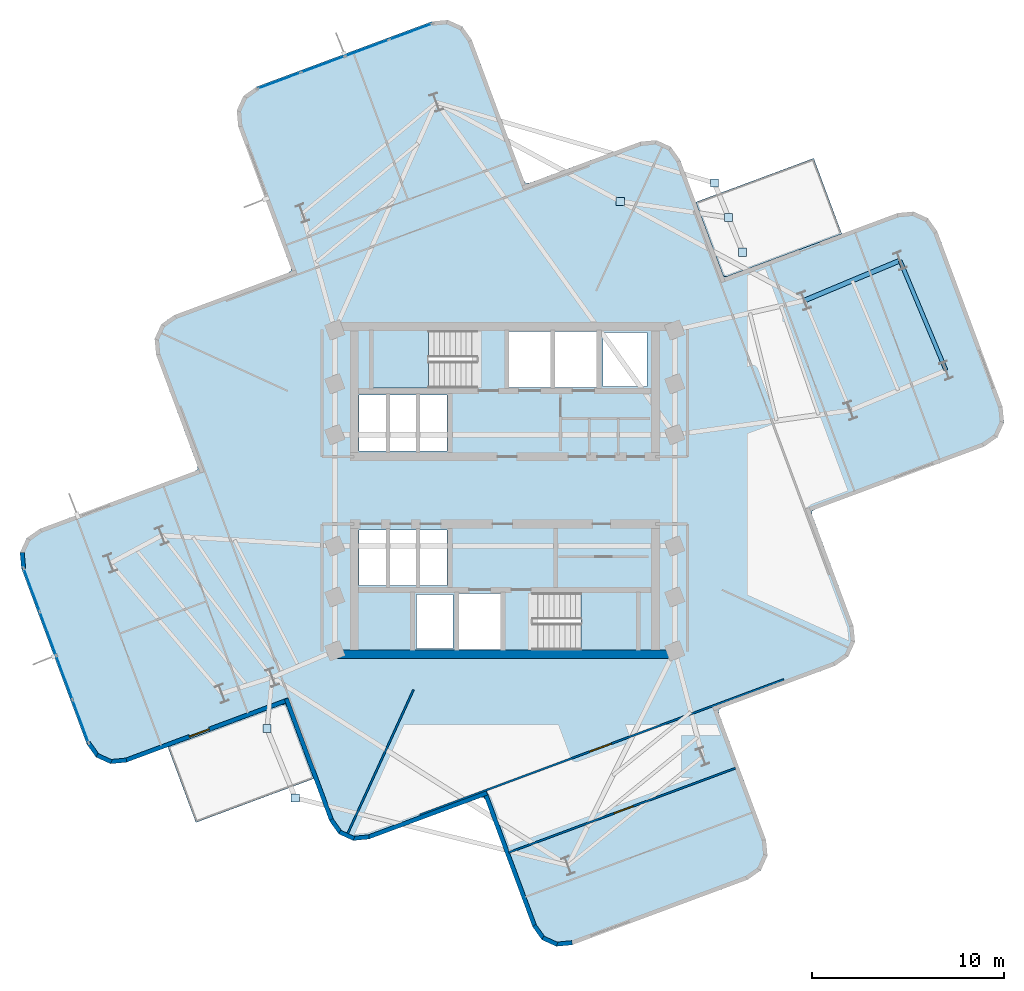
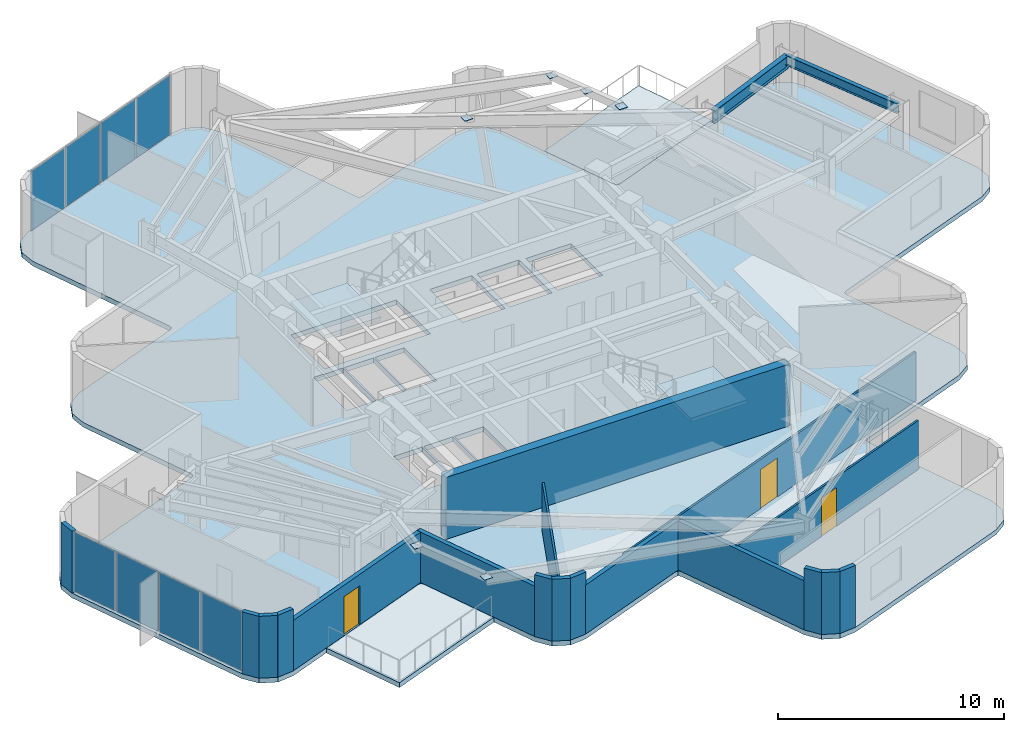
# One storey, part 5 of 11: 18 walls, 14 plates, 5 slabs, 3 doors, 2 beams, 3 openings, 4 elements without a shape of their own.
"""IFC4 building model written with IfcOpenShell, lengths in metres."""

from ifc_helpers import new_model, si_unit, direction, frame, frame_2d, origin, origin_2d, place, context, subcontext, project, spatial, polyline, rectangle, i_section, outline, extrude, material, layer, layer_set, material_profile, profile_set, type_object, element, fill, aggregate, save


model = new_model("IFC4")

# Units and contexts
model_context = context("Model", 3, precision=1e-05, world=origin(), true_north=direction((0.0, 1.0)))
body_context = subcontext(model_context, "Body", "Model", "MODEL_VIEW")
ifc_project = project(units=[si_unit("LENGTHUNIT", "METRE"), si_unit("AREAUNIT", "SQUARE_METRE"), si_unit("VOLUMEUNIT", "CUBIC_METRE"), si_unit("PLANEANGLEUNIT", "RADIAN"), si_unit("MASSUNIT", "GRAM", prefix="KILO")], contexts=[model_context])

# Site, building, storey
site_placement = place(None, origin())
site = spatial("IfcSite", under=ifc_project, at=site_placement, CompositionType="ELEMENT")
building_placement = place(site_placement, origin())
building = spatial("IfcBuilding", under=site, at=building_placement, Name="Solmarez Civic Tower", CompositionType="ELEMENT")
storey_placement = place(building_placement, frame((0.0, 0.0, 170.280029296875)))
storey = spatial("IfcBuildingStorey", under=building, at=storey_placement, Name="L45", CompositionType="ELEMENT", Elevation=170.280029296875)

# Beams
ifc_material_1 = material(Name="Steel S355", Category="steel")
ifc_material_profile_1 = material_profile(ifc_material_1, i_section(OverallWidth=0.25390625, OverallDepth=0.68798828125, WebThickness=0.01318359375, FlangeThickness=0.02099609375, at=origin_2d()), Name="W27X102")
ifc_profile_set_1 = profile_set([ifc_material_profile_1], Name="Steel S355")
beam_type_1 = type_object("IfcBeamType", Name="BM-PR-W27X102", PredefinedType="BEAM", material=ifc_profile_set_1)
beam_1_placement = place(storey_placement, frame((15.593994140625, 9.883056640625, 2.995849609375), z_axis=(0.922538326171, 0.385905476438, 0.0), x_axis=(-0.385905476438, 0.922538326171, 0.0)))
element("IfcBeam", 1, at=beam_1_placement, inside=storey, type_object=beam_type_1, Name="L45 Primary Floor Beam BM-L45-EA-R2B", PredefinedType="BEAM", context=body_context, shape_type="SweptSolid", body=[
    extrude(i_section(OverallWidth=0.25390625, OverallDepth=0.68798828125, WebThickness=0.01318359375, FlangeThickness=0.02099609375, at=origin_2d()), origin(), (0.0, 0.0, 1.0), 5.400146484375),
])
ifc_material_profile_2 = material_profile(ifc_material_1, i_section(OverallWidth=0.2109375, OverallDepth=0.5390625, WebThickness=0.01171875, FlangeThickness=0.018798828125, at=origin_2d()), Name="W21X73")
ifc_profile_set_2 = profile_set([ifc_material_profile_2], Name="Steel S355")
beam_type_2 = type_object("IfcBeamType", Name="BM-SP-W21X73", PredefinedType="SPANDREL", material=ifc_profile_set_2)
beam_2_placement = place(storey_placement, frame((22.968017578125, 6.248046875, 3.071044921875), z_axis=(-0.385876218946, 0.922550564279, 0.0), x_axis=(-0.922550564279, -0.385876218946, 0.0)))
element("IfcBeam", 2, at=beam_2_placement, inside=storey, type_object=beam_type_2, Name="L45 Perimeter Spandrel Beam BM-L45-EA-T2", PredefinedType="SPANDREL", context=body_context, shape_type="SweptSolid", body=[
    extrude(i_section(OverallWidth=0.2109375, OverallDepth=0.5390625, WebThickness=0.01171875, FlangeThickness=0.018798828125, at=origin_2d()), origin(), (0.0, 0.0, 1.0), 6.19921875),
])

# Curtain wall, plates
ifc_material_2 = material(Name="Bronze Anodised Aluminium EN AW-6063 T6", Category="aluminium")
ifc_layer_1 = layer(ifc_material_2, 0.155029296875)
ifc_layer_set_1 = layer_set([ifc_layer_1], Name="Bronze Anodised Aluminium EN AW-6063 T6")
curtain_wall_type = type_object("IfcCurtainWallType", Name="CW-SYS-6", PredefinedType="NOTDEFINED", material=ifc_layer_set_1)
curtain_wall_1_placement = place(storey_placement, origin())
curtain_wall_1 = element("IfcCurtainWall", 3, at=curtain_wall_1_placement, inside=storey, type_object=curtain_wall_type, Name="L45 Stick-Built Curtain Wall 1", PredefinedType="NOTDEFINED")
ifc_material_3 = material(Name="Solar Control Low-E Laminated Vision Glass", Category="glass")
ifc_layer_2 = layer(ifc_material_3, 0.031982421875)
ifc_layer_set_2 = layer_set([ifc_layer_2], Name="Solar Control Low-E Laminated Vision Glass")
plate_type_1 = type_object("IfcPlateType", Name="CWP-GLAZ-32", PredefinedType="CURTAIN_PANEL", material=ifc_layer_set_2)
plate_1_placement = place(storey_placement, frame((-22.08447265625, -12.021728515625, 0.06005859375), z_axis=(0.0, 0.0, 1.0), x_axis=(-0.348679403709, 0.93724205701, 0.0)))
plate_1 = element("IfcPlate", 4, at=plate_1_placement, type_object=plate_type_1, Name="CWS6 panel 1.1", PredefinedType="CURTAIN_PANEL", context=body_context, shape_type="SweptSolid", body=[
    extrude(rectangle(XDim=2.33984375, YDim=0.031982421875, at=origin_2d()), origin(), (0.0, 0.0, 1.0), 3.219970703125),
])
plate_2_placement = place(storey_placement, frame((-22.9306640625, -9.746826171875, 0.06005859375), z_axis=(0.0, 0.0, 1.0), x_axis=(-0.348679403709, 0.93724205701, 0.0)))
plate_2 = element("IfcPlate", 5, at=plate_2_placement, type_object=plate_type_1, Name="CWS6 panel 2.1", PredefinedType="CURTAIN_PANEL", context=body_context, shape_type="SweptSolid", body=[
    extrude(rectangle(XDim=2.375, YDim=0.031982421875, at=origin_2d()), origin(), (0.0, 0.0, 1.0), 3.219970703125),
])
plate_3_placement = place(storey_placement, frame((-23.783203125, -7.455322265625, 0.06005859375), z_axis=(0.0, 0.0, 1.0), x_axis=(-0.348679403709, 0.93724205701, 0.0)))
plate_3 = element("IfcPlate", 6, at=plate_3_placement, type_object=plate_type_1, Name="CWS6 panel 3.1", PredefinedType="CURTAIN_PANEL", context=body_context, shape_type="SweptSolid", body=[
    extrude(rectangle(XDim=2.375, YDim=0.031982421875, at=origin_2d()), origin(), (0.0, 0.0, 1.0), 3.219970703125),
])
plate_4_placement = place(storey_placement, frame((-24.629638671875, -5.18017578125, 0.06005859375), z_axis=(0.0, 0.0, 1.0), x_axis=(-0.348679403709, 0.93724205701, 0.0)))
plate_4 = element("IfcPlate", 7, at=plate_4_placement, type_object=plate_type_1, Name="CWS6 panel 4.1", PredefinedType="CURTAIN_PANEL", context=body_context, shape_type="SweptSolid", body=[
    extrude(rectangle(XDim=2.33984375, YDim=0.031982421875, at=origin_2d()), origin(), (0.0, 0.0, 1.0), 3.219970703125),
])
aggregate(curtain_wall_1, [plate_1, plate_2, plate_3, plate_4])

curtain_wall_2_placement = place(storey_placement, origin())
curtain_wall_2 = element("IfcCurtainWall", 8, at=curtain_wall_2_placement, inside=storey, type_object=curtain_wall_type, Name="L45 Stick-Built Curtain Wall 2", PredefinedType="NOTDEFINED")
plate_5_placement = place(storey_placement, frame((-11.742919921875, 21.33447265625, 0.06005859375), z_axis=(0.0, 0.0, 1.0), x_axis=(0.93724205701, 0.348679403709, 0.0)))
plate_5 = element("IfcPlate", 9, at=plate_5_placement, type_object=plate_type_1, Name="CWS6 panel 1.1", PredefinedType="CURTAIN_PANEL", context=body_context, shape_type="SweptSolid", body=[
    extrude(rectangle(XDim=2.33984375, YDim=0.031982421875, at=origin_2d()), origin(), (0.0, 0.0, 1.0), 3.219970703125),
])
plate_6_placement = place(storey_placement, frame((-9.4677734375, 22.1806640625, 0.06005859375), z_axis=(0.0, 0.0, 1.0), x_axis=(0.93724205701, 0.348679403709, 0.0)))
plate_6 = element("IfcPlate", 10, at=plate_6_placement, type_object=plate_type_1, Name="CWS6 panel 2.1", PredefinedType="CURTAIN_PANEL", context=body_context, shape_type="SweptSolid", body=[
    extrude(rectangle(XDim=2.375, YDim=0.031982421875, at=origin_2d()), origin(), (0.0, 0.0, 1.0), 3.219970703125),
])
plate_7_placement = place(storey_placement, frame((-7.17626953125, 23.033203125, 0.06005859375), z_axis=(0.0, 0.0, 1.0), x_axis=(0.93724205701, 0.348679403709, 0.0)))
plate_7 = element("IfcPlate", 11, at=plate_7_placement, type_object=plate_type_1, Name="CWS6 panel 3.1", PredefinedType="CURTAIN_PANEL", context=body_context, shape_type="SweptSolid", body=[
    extrude(rectangle(XDim=2.375, YDim=0.031982421875, at=origin_2d()), origin(), (0.0, 0.0, 1.0), 3.219970703125),
])
plate_8_placement = place(storey_placement, frame((-4.901123046875, 23.879638671875, 0.06005859375), z_axis=(0.0, 0.0, 1.0), x_axis=(0.93724205701, 0.348679403709, 0.0)))
plate_8 = element("IfcPlate", 12, at=plate_8_placement, type_object=plate_type_1, Name="CWS6 panel 4.1", PredefinedType="CURTAIN_PANEL", context=body_context, shape_type="SweptSolid", body=[
    extrude(rectangle(XDim=2.33984375, YDim=0.031982421875, at=origin_2d()), origin(), (0.0, 0.0, 1.0), 3.219970703125),
])
aggregate(curtain_wall_2, [plate_5, plate_6, plate_7, plate_8])

# Plates
ifc_layer_3 = layer(ifc_material_1, 0.02392578125)
ifc_layer_set_3 = layer_set([ifc_layer_3], Name="Steel S355")
plate_type_2 = type_object("IfcPlateType", Name="PLT-CAP-380", PredefinedType="USERDEFINED", material=ifc_layer_set_3)
for number, where, z_axis, x_axis, name in (
    (13, (12.383056640625, 12.39794921875, 3.1279296875), (0.0, 0.0, 1.0), (1.0, 0.0, 0.0), "Steel Member End Cap Plate CAP-BM-L45-BALC-NEE-0"),
    (14, (10.909912109375, 16.009033203125, 3.1279296875), (0.0, 0.0, 1.0), (1.0, 0.0, 0.0), "Steel Member End Cap Plate CAP-BM-L45-BALC-NEE-1"),
    (15, (6.011962890625, 15.044921875, 3.1279296875), (0.0, 0.0, 1.0), (1.0, 0.0, 0.0), "Steel Member End Cap Plate CAP-BM-L45-BALC-NEM-0"),
    (16, (11.64599609375, 14.2041015625, 3.1279296875), (0.0, 0.0, 1.0), (1.0, 0.0, 0.0), "Steel Member End Cap Plate CAP-BM-L45-BALC-NEM-1"),
    (17, (-12.383056640625, -12.39794921875, 3.1279296875), (0.0, 0.0, 1.0), (1.0, 0.0, 0.0), "Steel Member End Cap Plate CAP-BM-L45-BALC-SWE-0"),
    (18, (-10.909912109375, -16.009033203125, 3.1279296875), (0.0, 0.0, 1.0), (1.0, 0.0, 0.0), "Steel Member End Cap Plate CAP-BM-L45-BALC-SWE-1"),
):
    element("IfcPlate", number, at=place(storey_placement, frame(where, z_axis=z_axis, x_axis=x_axis)), inside=storey, type_object=plate_type_2, Name=name, ObjectType="CAP_PLATE", PredefinedType="USERDEFINED", context=body_context, shape_type="SweptSolid", body=[
        extrude(rectangle(XDim=0.419921875, YDim=0.419921875, at=origin_2d()), origin(), (0.0, 0.0, 1.0), 0.02392578125),
    ])

# Stair, slab
ifc_material_4 = material(Name="Concrete C50/60", Category="concrete")
stair_type = type_object("IfcStairType", Name="STAIR-DOGLEG-140W-20R-1800", PredefinedType="HALF_TURN_STAIR", material=ifc_material_4)
stair_1_placement = place(storey_placement, origin())
stair_1 = element("IfcStair", 19, at=stair_1_placement, inside=storey, type_object=stair_type, Name="L45 North Core Protected Exit Stair ST-1", PredefinedType="HALF_TURN_STAIR")
ifc_layer_4 = layer(ifc_material_4, 0.199951171875)
ifc_layer_set_4 = layer_set([ifc_layer_4], Name="Concrete C50/60")
slab_type_1 = type_object("IfcSlabType", Name="SLAB-LANDING-200", PredefinedType="LANDING", material=ifc_layer_set_4)
slab_1_placement = place(storey_placement, frame((0.0, 0.0, 1.599853515625)))
slab_1 = element("IfcSlab", 20, at=slab_1_placement, type_object=slab_type_1, Name="ST-1 landing 1", PredefinedType="LANDING", context=body_context, shape_type="SweptSolid", body=[
    extrude(outline(polyline([(-3.969970703125, 8.320068359375), (-6.85009765625, 8.320068359375), (-6.85009765625, 5.320068359375), (-3.969970703125, 5.320068359375), (-3.969970703125, 8.320068359375)])), origin(), (0.0, 0.0, 1.0), 0.2001953125),
])
aggregate(stair_1, [slab_1])

stair_2_placement = place(storey_placement, origin())
stair_2 = element("IfcStair", 21, at=stair_2_placement, inside=storey, type_object=stair_type, Name="L45 South Core Protected Exit Stair ST-2", PredefinedType="HALF_TURN_STAIR")
slab_2_placement = place(storey_placement, frame((0.0, 0.0, 1.599853515625)))
slab_2 = element("IfcSlab", 22, at=slab_2_placement, type_object=slab_type_1, Name="ST-2 landing 1", PredefinedType="LANDING", context=body_context, shape_type="SweptSolid", body=[
    extrude(outline(polyline([(3.969970703125, -8.320068359375), (6.85009765625, -8.320068359375), (6.85009765625, -5.320068359375), (3.969970703125, -5.320068359375), (3.969970703125, -8.320068359375)])), origin(), (0.0, 0.0, 1.0), 0.2001953125),
])
aggregate(stair_2, [slab_2])

# Slabs
ifc_layer_5 = layer(ifc_material_4, 0.260009765625)
ifc_layer_set_5 = layer_set([ifc_layer_5], Name="Concrete C50/60")
slab_type_2 = type_object("IfcSlabType", Name="SLAB-TOWER-260", PredefinedType="FLOOR", material=ifc_layer_set_5)
slab_3_placement = place(storey_placement, frame((0.0, 0.0, -0.260009765625)))
element("IfcSlab", 23, at=slab_3_placement, inside=storey, type_object=slab_type_2, Name="L45 Structural Slab", PredefinedType="FLOOR", context=body_context, shape_type="SweptSolid", body=[
    extrude(outline(polyline([(-11.3330078125, -11.26806640625), (-9.123046875, -17.2099609375), (-8.64404296875, -17.885009765625), (-7.89111328125, -18.22900390625), (-7.06591796875, -18.15087890625), (-1.27392578125, -15.998046875), (-1.10302734375, -15.98095703125), (-1.0029296875, -16.1220703125), (1.449951171875, -22.718994140625), (1.929931640625, -23.39404296875), (2.68310546875, -23.739013671875), (3.508056640625, -23.660888671875), (12.656005859375, -20.259033203125), (13.3310546875, -19.779052734375), (13.675048828125, -19.02587890625), (13.596923828125, -18.201904296875), (11.14404296875, -11.60400390625), (11.1279296875, -11.43310546875), (11.26806640625, -11.3330078125), (17.2099609375, -9.123046875), (17.885009765625, -8.64404296875), (18.22900390625, -7.89111328125), (18.15087890625, -7.06591796875), (15.998046875, -1.27392578125), (15.98095703125, -1.10302734375), (16.1220703125, -1.0029296875), (24.968994140625, 2.287109375), (25.64404296875, 2.76708984375), (25.989013671875, 3.52001953125), (25.910888671875, 4.343994140625), (22.509033203125, 13.491943359375), (22.029052734375, 14.1669921875), (21.27587890625, 14.511962890625), (20.450927734375, 14.43408203125), (11.60400390625, 11.14404296875), (11.43310546875, 11.1279296875), (11.3330078125, 11.26806640625), (9.123046875, 17.2099609375), (8.64404296875, 17.885009765625), (7.89111328125, 18.22900390625), (7.06591796875, 18.15087890625), (1.27392578125, 15.998046875), (1.10302734375, 15.98095703125), (1.0029296875, 16.1220703125), (-1.72900390625, 23.468994140625), (-2.208984375, 24.14404296875), (-2.9619140625, 24.489013671875), (-3.787109375, 24.410888671875), (-12.93408203125, 21.009033203125), (-13.610107421875, 20.529052734375), (-13.9541015625, 19.77587890625), (-13.8759765625, 18.951904296875), (-11.14404296875, 11.60400390625), (-11.1279296875, 11.43310546875), (-11.26806640625, 11.3330078125), (-17.2099609375, 9.123046875), (-17.885009765625, 8.64404296875), (-18.22900390625, 7.89111328125), (-18.15087890625, 7.06591796875), (-15.998046875, 1.27392578125), (-15.98095703125, 1.10302734375), (-16.1220703125, 1.0029296875), (-24.218994140625, -2.008056640625), (-24.89404296875, -2.488037109375), (-25.239013671875, -3.240966796875), (-25.160888671875, -4.06494140625), (-21.759033203125, -13.212890625), (-21.279052734375, -13.887939453125), (-20.52587890625, -14.23291015625), (-19.701904296875, -14.155029296875), (-11.60400390625, -11.14404296875), (-11.43310546875, -11.1279296875), (-11.3330078125, -11.26806640625)]), holes=[polyline([(-1.449951171875, 8.320068359375), (-6.85009765625, 8.320068359375), (-6.85009765625, 5.320068359375), (-1.449951171875, 5.320068359375), (-1.449951171875, 8.320068359375)]), polyline([(1.449951171875, -8.320068359375), (6.85009765625, -8.320068359375), (6.85009765625, -5.320068359375), (1.449951171875, -5.320068359375), (1.449951171875, -8.320068359375)]), polyline([(0.219970703125, 5.360107421875), (2.3798828125, 5.360107421875), (2.3798828125, 8.280029296875), (0.219970703125, 8.280029296875), (0.219970703125, 5.360107421875)]), polyline([(2.6201171875, 5.360107421875), (4.780029296875, 5.360107421875), (4.780029296875, 8.280029296875), (2.6201171875, 8.280029296875), (2.6201171875, 5.360107421875)]), polyline([(-2.3798828125, -8.280029296875), (-0.219970703125, -8.280029296875), (-0.219970703125, -5.360107421875), (-2.3798828125, -5.360107421875), (-2.3798828125, -8.280029296875)]), polyline([(-7.60009765625, -4.9599609375), (-6.1201171875, -4.9599609375), (-6.1201171875, -2.06005859375), (-7.60009765625, -2.06005859375), (-7.60009765625, -4.9599609375)]), polyline([(-6.0400390625, -4.9599609375), (-4.56005859375, -4.9599609375), (-4.56005859375, -2.06005859375), (-6.0400390625, -2.06005859375), (-6.0400390625, -4.9599609375)]), polyline([(-4.47998046875, -4.9599609375), (-3.0, -4.9599609375), (-3.0, -2.06005859375), (-4.47998046875, -2.06005859375), (-4.47998046875, -4.9599609375)]), polyline([(-7.60009765625, 2.06005859375), (-6.1201171875, 2.06005859375), (-6.1201171875, 4.9599609375), (-7.60009765625, 4.9599609375), (-7.60009765625, 2.06005859375)]), polyline([(-6.0400390625, 2.06005859375), (-4.56005859375, 2.06005859375), (-4.56005859375, 4.9599609375), (-6.0400390625, 4.9599609375), (-6.0400390625, 2.06005859375)]), polyline([(-4.47998046875, 2.06005859375), (-3.0, 2.06005859375), (-3.0, 4.9599609375), (-4.47998046875, 4.9599609375), (-4.47998046875, 2.06005859375)]), polyline([(5.10009765625, 5.419921875), (7.39990234375, 5.419921875), (7.39990234375, 8.219970703125), (5.10009765625, 8.219970703125), (5.10009765625, 5.419921875)]), polyline([(-4.60009765625, -8.219970703125), (-2.699951171875, -8.219970703125), (-2.699951171875, -5.419921875), (-4.60009765625, -5.419921875), (-4.60009765625, -8.219970703125)])]), origin(), (0.0, 0.0, 1.0), 0.260009765625),
])
slab_4_placement = place(storey_placement, frame((0.0, 0.0, -0.260009765625)))
element("IfcSlab", 24, at=slab_4_placement, inside=storey, type_object=slab_type_2, Name="L45 Re-entrant Corner Winter-Garden Balcony NE", PredefinedType="FLOOR", context=body_context, shape_type="SweptSolid", body=[
    extrude(outline(polyline([(9.944091796875, 15.008056640625), (11.3349609375, 11.26904296875), (11.43408203125, 11.1298828125), (11.60400390625, 11.14599609375), (17.544921875, 13.35498046875), (16.08203125, 17.2900390625), (9.944091796875, 15.008056640625)])), origin(), (0.0, 0.0, 1.0), 0.260009765625),
])
slab_5_placement = place(storey_placement, frame((0.0, 0.0, -0.260009765625)))
element("IfcSlab", 25, at=slab_5_placement, inside=storey, type_object=slab_type_2, Name="L45 Re-entrant Corner Winter-Garden Balcony SW", PredefinedType="FLOOR", context=body_context, shape_type="SweptSolid", body=[
    extrude(outline(polyline([(-9.944091796875, -15.008056640625), (-11.3349609375, -11.26904296875), (-11.43408203125, -11.1298828125), (-11.60400390625, -11.14599609375), (-17.544921875, -13.35498046875), (-16.08203125, -17.2900390625), (-9.944091796875, -15.008056640625)])), origin(), (0.0, 0.0, 1.0), 0.260009765625),
])

# Wall
ifc_layer_6 = layer(ifc_material_4, 0.449951171875)
ifc_layer_set_6 = layer_set([ifc_layer_6], Name="Concrete C50/60")
wall_type_1 = type_object("IfcWallType", Name="WALL-CORE-450", PredefinedType="SHEAR", material=ifc_layer_set_6)
wall_1_placement = place(storey_placement, frame((8.780029296875, -8.534912109375, 0.0), z_axis=(0.0, 0.0, 1.0), x_axis=(-1.0, 0.0, 0.0)))
element("IfcWall", 26, at=wall_1_placement, inside=storey, type_object=wall_type_1, Name="L45 Split-Core Structural Wall SCW-S-L45", PredefinedType="SHEAR", context=body_context, shape_type="SweptSolid", body=[
    extrude(rectangle(XDim=17.56005859375, YDim=0.449951171875, at=frame_2d((8.780029296875, 0.0))), origin(), (0.0, 0.0, 1.0), 3.340087890625),
])

# Wall, opening, door
ifc_material_5 = material(Name="Precast concrete C40/50", Category="concrete")
ifc_layer_7 = layer(ifc_material_5, 0.219970703125)
ifc_layer_set_7 = layer_set([ifc_layer_7], Name="Precast concrete C40/50")
wall_type_2 = type_object("IfcWallType", Name="WALL-EXT-220", PredefinedType="SOLIDWALL", material=ifc_layer_set_7)
wall_2_placement = place(storey_placement, frame((-11.260009765625, -10.89794921875, 0.0), z_axis=(0.0, 0.0, 1.0), x_axis=(-0.937248687931, -0.348661579431, 0.0)))
wall_2 = element("IfcWall", 27, at=wall_2_placement, inside=storey, type_object=wall_type_2, Name="L45 Exterior Precast Wall 2", PredefinedType="SOLIDWALL", context=body_context, shape_type="SweptSolid", body=[
    extrude(rectangle(XDim=9.057373046875, YDim=0.219970703125, at=frame_2d((4.52880859375, 0.0))), origin(), (0.0, 0.0, 1.0), 2.719970703125),
])
opening_1_placement = place(wall_2_placement, frame((4.39990234375, 0.0, 0.0)))
opening_1 = element("IfcOpeningElement", 28, at=opening_1_placement, cuts=wall_2, Name="Opening D-06", PredefinedType="OPENING", context=body_context, shape_type="SweptSolid", body=[
    extrude(rectangle(XDim=1.10009765625, YDim=2.10009765625, at=frame_2d((0.550048828125, 1.050048828125))), frame((0.0, 0.119873046875, 0.0), z_axis=(0.0, -1.0, 0.0), x_axis=(1.0, 0.0, 0.0)), (0.0, 0.0, 1.0), 0.239990234375),
])
ifc_material_6 = material(Name="Bronze Anodised Aluminium Glazed Terrace Door", Category="aluminium")
door_type_1 = type_object("IfcDoorType", Name="DOOR-TERR-1100", OperationType="NOTDEFINED", PredefinedType="DOOR", material=ifc_material_6)
door_1_placement = place(opening_1_placement, origin())
door_1 = element("IfcDoor", 29, at=door_1_placement, inside=storey, type_object=door_type_1, Name="L45 Outdoor Terrace Glazed Door", OperationType="SINGLE_SWING_RIGHT", OverallHeight=2.10009765625, OverallWidth=1.10009765625, PredefinedType="DOOR", context=body_context, shape_type="SweptSolid", body=[
    extrude(rectangle(XDim=1.10009765625, YDim=2.10009765625, at=frame_2d((0.550048828125, 1.050048828125))), frame((0.0, 0.02490234375, 0.0), z_axis=(0.0, -1.0, 0.0), x_axis=(1.0, 0.0, 0.0)), (0.0, 0.0, 1.0), 0.050048828125),
])
fill(opening_1, door_1)

# Walls
wall_3_placement = place(storey_placement, frame((-19.700927734375, -14.044921875, 0.0), z_axis=(0.0, 0.0, 1.0), x_axis=(-0.99561041007, -0.093594398126, 0.0)))
element("IfcWall", 30, at=wall_3_placement, inside=storey, type_object=wall_type_2, Name="L45 Exterior Precast Wall 3", PredefinedType="SOLIDWALL", context=body_context, shape_type="SweptSolid", body=[
    extrude(rectangle(XDim=0.834716796875, YDim=0.219970703125, at=frame_2d((0.41748046875, 0.0))), origin(), (0.0, 0.0, 1.0), 3.340087890625),
])
wall_4_placement = place(storey_placement, frame((-20.48388671875, -14.131103515625, 0.0), z_axis=(0.0, 0.0, 1.0), x_axis=(-0.909927497245, 0.41476734413, 0.0)))
element("IfcWall", 31, at=wall_4_placement, inside=storey, type_object=wall_type_2, Name="L45 Exterior Precast Wall 4", PredefinedType="SOLIDWALL", context=body_context, shape_type="SweptSolid", body=[
    extrude(rectangle(XDim=0.820068359375, YDim=0.219970703125, at=frame_2d((0.41015625, 0.0))), origin(), (0.0, 0.0, 1.0), 3.340087890625),
])
wall_5_placement = place(storey_placement, frame((-21.193115234375, -13.821044921875, 0.0), z_axis=(0.0, 0.0, 1.0), x_axis=(-0.578269277984, 0.815845967165, 0.0)))
element("IfcWall", 32, at=wall_5_placement, inside=storey, type_object=wall_type_2, Name="L45 Exterior Precast Wall 5", PredefinedType="SOLIDWALL", context=body_context, shape_type="SweptSolid", body=[
    extrude(rectangle(XDim=0.83349609375, YDim=0.219970703125, at=frame_2d((0.416748046875, 0.0))), origin(), (0.0, 0.0, 1.0), 3.340087890625),
])
wall_6_placement = place(storey_placement, frame((-25.051025390625, -4.06591796875, 0.0), z_axis=(0.0, 0.0, 1.0), x_axis=(-0.093331645357, 0.995635075705, 0.0)))
element("IfcWall", 33, at=wall_6_placement, inside=storey, type_object=wall_type_2, Name="L45 Exterior Precast Wall 7", PredefinedType="SOLIDWALL", context=body_context, shape_type="SweptSolid", body=[
    extrude(rectangle(XDim=0.83447265625, YDim=0.219970703125, at=frame_2d((0.417236328125, 0.0))), origin(), (0.0, 0.0, 1.0), 3.340087890625),
])
wall_7_placement = place(storey_placement, frame((3.508056640625, -23.551025390625, 0.0), z_axis=(0.0, 0.0, 1.0), x_axis=(-0.995637623159, -0.09330446586, 0.0)))
element("IfcWall", 34, at=wall_7_placement, inside=storey, type_object=wall_type_2, Name="L45 Exterior Precast Wall 61", PredefinedType="SOLIDWALL", context=body_context, shape_type="SweptSolid", body=[
    extrude(rectangle(XDim=0.834716796875, YDim=0.219970703125, at=frame_2d((0.41748046875, 0.0))), origin(), (0.0, 0.0, 1.0), 3.340087890625),
])
wall_8_placement = place(storey_placement, frame((2.72509765625, -23.636962890625, 0.0), z_axis=(0.0, 0.0, 1.0), x_axis=(-0.909834845619, 0.414970545577, 0.0)))
element("IfcWall", 35, at=wall_8_placement, inside=storey, type_object=wall_type_2, Name="L45 Exterior Precast Wall 62", PredefinedType="SOLIDWALL", context=body_context, shape_type="SweptSolid", body=[
    extrude(rectangle(XDim=0.81884765625, YDim=0.219970703125, at=frame_2d((0.409423828125, 0.0))), origin(), (0.0, 0.0, 1.0), 3.340087890625),
])
wall_9_placement = place(storey_placement, frame((2.01708984375, -23.326904296875, 0.0), z_axis=(0.0, 0.0, 1.0), x_axis=(-0.579242960811, 0.815154949903, 0.0)))
element("IfcWall", 36, at=wall_9_placement, inside=storey, type_object=wall_type_2, Name="L45 Exterior Precast Wall 63", PredefinedType="SOLIDWALL", context=body_context, shape_type="SweptSolid", body=[
    extrude(rectangle(XDim=0.834228515625, YDim=0.219970703125, at=frame_2d((0.4169921875, 0.0))), origin(), (0.0, 0.0, 1.0), 3.340087890625),
])
wall_10_placement = place(storey_placement, frame((1.556884765625, -22.68994140625, 0.0), z_axis=(0.0, 0.0, 1.0), x_axis=(-0.348607320852, 0.937268870628, 0.0)))
element("IfcWall", 37, at=wall_10_placement, inside=storey, type_object=wall_type_2, Name="L45 Exterior Precast Wall 64", PredefinedType="SOLIDWALL", context=body_context, shape_type="SweptSolid", body=[
    extrude(rectangle(XDim=7.457763671875, YDim=0.219970703125, at=frame_2d((3.72900390625, 0.0))), origin(), (0.0, 0.0, 1.0), 2.64404296875),
])
wall_11_placement = place(storey_placement, frame((-0.929931640625, -15.7509765625, 0.0), z_axis=(0.0, 0.0, 1.0), x_axis=(-0.937223257246, -0.348729932868, 0.0)))
element("IfcWall", 38, at=wall_11_placement, inside=storey, type_object=wall_type_2, Name="L45 Exterior Precast Wall 67", PredefinedType="SOLIDWALL", context=body_context, shape_type="SweptSolid", body=[
    extrude(rectangle(XDim=6.598388671875, YDim=0.219970703125, at=frame_2d((3.29931640625, 0.0))), origin(), (0.0, 0.0, 1.0), 2.64404296875),
])
wall_12_placement = place(storey_placement, frame((-7.06591796875, -18.041015625, 0.0), z_axis=(0.0, 0.0, 1.0), x_axis=(-0.995637623159, -0.09330446586, 0.0)))
element("IfcWall", 39, at=wall_12_placement, inside=storey, type_object=wall_type_2, Name="L45 Exterior Precast Wall 68", PredefinedType="SOLIDWALL", context=body_context, shape_type="SweptSolid", body=[
    extrude(rectangle(XDim=0.834716796875, YDim=0.219970703125, at=frame_2d((0.41748046875, 0.0))), origin(), (0.0, 0.0, 1.0), 3.340087890625),
])
wall_13_placement = place(storey_placement, frame((-7.84912109375, -18.126953125, 0.0), z_axis=(0.0, 0.0, 1.0), x_axis=(-0.909783489843, 0.415083126143, 0.0)))
element("IfcWall", 40, at=wall_13_placement, inside=storey, type_object=wall_type_2, Name="L45 Exterior Precast Wall 69", PredefinedType="SOLIDWALL", context=body_context, shape_type="SweptSolid", body=[
    extrude(rectangle(XDim=0.81884765625, YDim=0.219970703125, at=frame_2d((0.409423828125, 0.0))), origin(), (0.0, 0.0, 1.0), 3.340087890625),
])
wall_14_placement = place(storey_placement, frame((-8.556884765625, -17.81689453125, 0.0), z_axis=(0.0, 0.0, 1.0), x_axis=(-0.579017424022, 0.815315167698, 0.0)))
element("IfcWall", 41, at=wall_14_placement, inside=storey, type_object=wall_type_2, Name="L45 Exterior Precast Wall 70", PredefinedType="SOLIDWALL", context=body_context, shape_type="SweptSolid", body=[
    extrude(rectangle(XDim=0.832763671875, YDim=0.219970703125, at=frame_2d((0.41650390625, 0.0))), origin(), (0.0, 0.0, 1.0), 3.340087890625),
])
wall_15_placement = place(storey_placement, frame((-9.01611328125, -17.180908203125, 0.0), z_axis=(0.0, 0.0, 1.0), x_axis=(-0.34874699486, 0.937216908499, 0.0)))
element("IfcWall", 42, at=wall_15_placement, inside=storey, type_object=wall_type_2, Name="L45 Exterior Precast Wall 71", PredefinedType="SOLIDWALL", context=body_context, shape_type="SweptSolid", body=[
    extrude(rectangle(XDim=6.75830078125, YDim=0.219970703125, at=frame_2d((3.379150390625, 0.0))), origin(), (0.0, 0.0, 1.0), 2.719970703125),
])
ifc_material_7 = material(Name="Gypsum Board Acoustic Steel-Stud Partition", Category="steel")
ifc_layer_8 = layer(ifc_material_7, 0.10009765625)
ifc_layer_set_8 = layer_set([ifc_layer_8], Name="Gypsum Board Acoustic Steel-Stud Partition")
wall_type_3 = type_object("IfcWallType", Name="WALL-INT-PART-100", PredefinedType="PARTITIONING", material=ifc_layer_set_8)
wall_16_placement = place(storey_placement, frame((-4.7529296875, -10.3798828125, 0.0), z_axis=(0.0, 0.0, 1.0), x_axis=(-0.416191484634, -0.909276991966, 0.0)))
element("IfcWall", 43, at=wall_16_placement, inside=storey, type_object=wall_type_3, Name="L45 Interior Partition PT-L45-QDIV-3", PredefinedType="PARTITIONING", context=body_context, shape_type="SweptSolid", body=[
    extrude(rectangle(XDim=8.25830078125, YDim=0.10009765625, at=frame_2d((4.129150390625, 0.0))), origin(), (0.0, 0.0, 1.0), 2.64404296875),
])

# Wall, opening, door
wall_17_placement = place(storey_placement, frame((14.52197265625, -9.845947265625, 0.0), z_axis=(0.0, 0.0, 1.0), x_axis=(-0.937292757866, -0.348543090668, 0.0)))
wall_17 = element("IfcWall", 44, at=wall_17_placement, inside=storey, type_object=wall_type_3, Name="L45 Interior Partition PT-L45-S-ENT", PredefinedType="PARTITIONING", context=body_context, shape_type="SweptSolid", body=[
    extrude(rectangle(XDim=20.198486328125, YDim=0.10009765625, at=frame_2d((10.09912109375, 0.0))), origin(), (0.0, 0.0, 1.0), 2.64404296875),
])
opening_2_placement = place(wall_17_placement, frame((9.5791015625, 0.0, 0.0)))
opening_2 = element("IfcOpeningElement", 45, at=opening_2_placement, cuts=wall_17, Name="Opening D-11", PredefinedType="OPENING", context=body_context, shape_type="SweptSolid", body=[
    extrude(rectangle(XDim=1.199951171875, YDim=2.10009765625, at=frame_2d((0.60009765625, 1.050048828125))), frame((0.0, 0.06005859375, 0.0), z_axis=(0.0, -1.0, 0.0), x_axis=(1.0, 0.0, 0.0)), (0.0, 0.0, 1.0), 0.1201171875),
])
ifc_material_8 = material(Name="Glazed-Vision Acoustic Chamber Door", Category="wood")
door_type_2 = type_object("IfcDoorType", Name="DOOR-INT-1200", OperationType="NOTDEFINED", PredefinedType="DOOR", material=ifc_material_8)
door_2_placement = place(opening_2_placement, origin())
door_2 = element("IfcDoor", 46, at=door_2_placement, inside=storey, type_object=door_type_2, Name="L45 Staff Tea Pantry First South Door", OperationType="SINGLE_SWING_LEFT", OverallHeight=2.10009765625, OverallWidth=1.199951171875, PredefinedType="DOOR", context=body_context, shape_type="SweptSolid", body=[
    extrude(rectangle(XDim=1.199951171875, YDim=2.10009765625, at=frame_2d((0.60009765625, 1.050048828125))), frame((0.0, 0.02490234375, 0.0), z_axis=(0.0, -1.0, 0.0), x_axis=(1.0, 0.0, 0.0)), (0.0, 0.0, 1.0), 0.050048828125),
])
fill(opening_2, door_2)

wall_18_placement = place(storey_placement, frame((12.009033203125, -14.4609375, 0.0), z_axis=(0.0, 0.0, 1.0), x_axis=(-0.937262231235, -0.348625171066, 0.0)))
wall_18 = element("IfcWall", 47, at=wall_18_placement, inside=storey, type_object=wall_type_3, Name="L45 Interior Partition PT-L45-S-SC1", PredefinedType="PARTITIONING", context=body_context, shape_type="SweptSolid", body=[
    extrude(rectangle(XDim=12.58984375, YDim=0.10009765625, at=frame_2d((6.294921875, 0.0))), origin(), (0.0, 0.0, 1.0), 2.64404296875),
])
opening_3_placement = place(wall_18_placement, frame((5.68994140625, 0.0, 0.0)))
opening_3 = element("IfcOpeningElement", 48, at=opening_3_placement, cuts=wall_18, Name="Opening D-13", PredefinedType="OPENING", context=body_context, shape_type="SweptSolid", body=[
    extrude(rectangle(XDim=1.050048828125, YDim=2.080078125, at=frame_2d((0.52490234375, 1.0400390625))), frame((0.0, 0.06005859375, 0.0), z_axis=(0.0, -1.0, 0.0), x_axis=(1.0, 0.0, 0.0)), (0.0, 0.0, 1.0), 0.1201171875),
])
ifc_material_9 = material(Name="Timber Directorate Office Door", Category="wood")
door_type_3 = type_object("IfcDoorType", Name="DOOR-INT-1050", OperationType="NOTDEFINED", PredefinedType="DOOR", material=ifc_material_9)
door_3_placement = place(opening_3_placement, origin())
door_3 = element("IfcDoor", 49, at=door_3_placement, inside=storey, type_object=door_type_3, Name="L45 Co-Working Policy Workspace South Door", OperationType="SINGLE_SWING_LEFT", OverallHeight=2.080078125, OverallWidth=1.050048828125, PredefinedType="DOOR", context=body_context, shape_type="SweptSolid", body=[
    extrude(rectangle(XDim=1.050048828125, YDim=2.080078125, at=frame_2d((0.52490234375, 1.0400390625))), frame((0.0, 0.02490234375, 0.0), z_axis=(0.0, -1.0, 0.0), x_axis=(1.0, 0.0, 0.0)), (0.0, 0.0, 1.0), 0.050048828125),
])
fill(opening_3, door_3)

save(model, "model.ifc")
